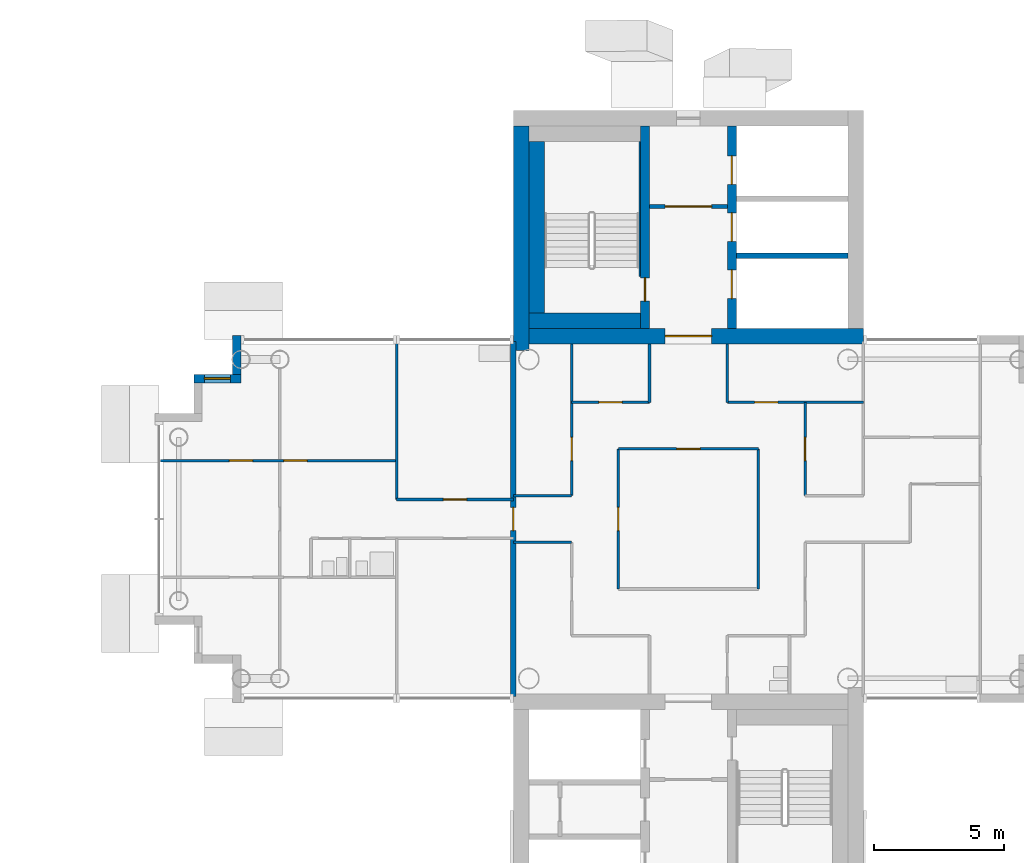
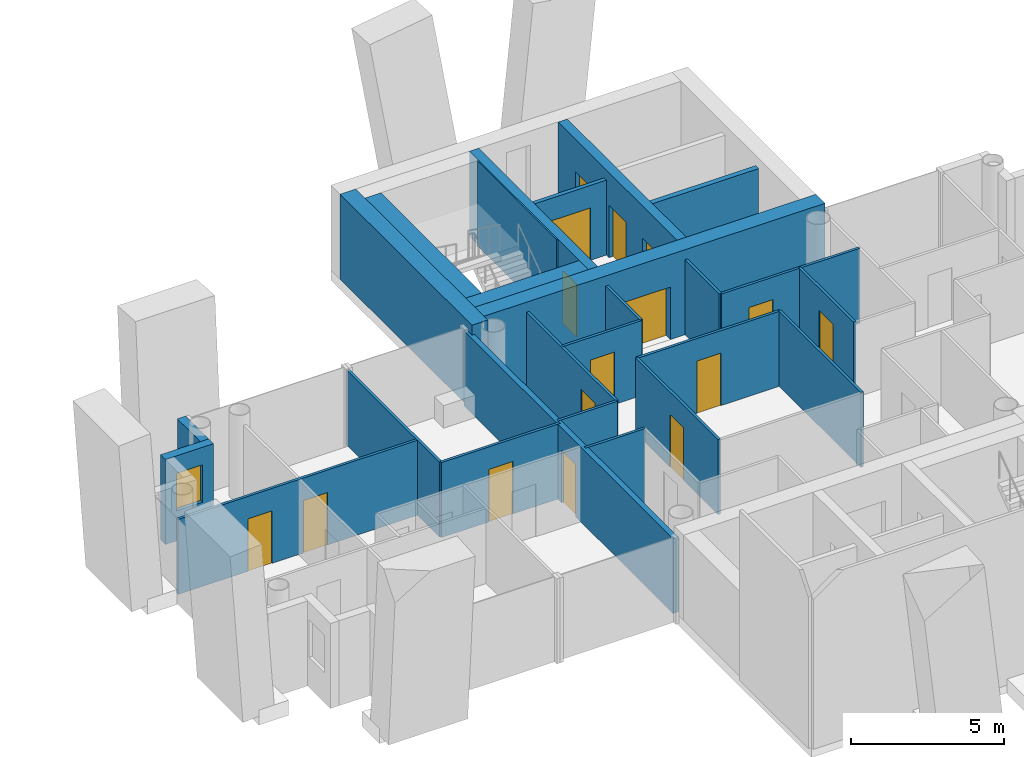
# One storey, part 10 of 18: 26 walls, 16 doors, 1 window, 17 openings.
"""IFC4 building model written with IfcOpenShell, lengths in metres."""

from ifc_helpers import new_model, si_unit, direction, frame, frame_2d, origin, place, context, subcontext, project, spatial, rectangle, extrude, material, layer, layer_set, type_object, element, fill, save


model = new_model("IFC4")

# Units and contexts
model_context = context("Model", 3, precision=1e-05, world=origin(), true_north=direction((0.0, 1.0)))
body_context = subcontext(model_context, "Body", "Model", "MODEL_VIEW")
ifc_project = project(units=[si_unit("LENGTHUNIT", "METRE"), si_unit("AREAUNIT", "SQUARE_METRE"), si_unit("VOLUMEUNIT", "CUBIC_METRE"), si_unit("PLANEANGLEUNIT", "RADIAN"), si_unit("MASSUNIT", "GRAM", prefix="KILO")], contexts=[model_context])

# Site, building, storey
site_placement = place(None, origin())
site = spatial("IfcSite", under=ifc_project, at=site_placement, CompositionType="ELEMENT")
building_placement = place(site_placement, origin())
building = spatial("IfcBuilding", under=site, at=building_placement, Name="Ipe Terrace Towers", CompositionType="ELEMENT")
storey_placement = place(building_placement, frame((0.0, 0.0, 216.39990234375)))
storey = spatial("IfcBuildingStorey", under=building, at=storey_placement, Name="L60", CompositionType="ELEMENT", Elevation=216.39990234375)

# Wall
ifc_material_1 = material(Name="Concrete C40/50 with buff precast cladding", Category="concrete")
ifc_layer_1 = layer(ifc_material_1, 0.320068359375)
ifc_layer_set_1 = layer_set([ifc_layer_1], Name="BUFF CLADDING WALL 320")
wall_type_1 = type_object("IfcWallType", Name="BUFF CLADDING WALL 320", PredefinedType="STANDARD", material=ifc_layer_set_1)
wall_1_placement = place(storey_placement, frame((18.590087890625, 7.070068359375, -0.2998046875), z_axis=(0.0, 0.0, 1.0), x_axis=(0.0, -1.0, 0.0)))
element("IfcWall", 1, at=wall_1_placement, inside=storey, type_object=wall_type_1, Name="T2-W-L60-22a wall", PredefinedType="STANDARD", context=body_context, shape_type="SweptSolid", body=[
    extrude(rectangle(XDim=1.5, YDim=0.320068359375, at=frame_2d((0.75, 0.0))), origin(), (0.0, 0.0, 1.0), 3.39990234375),
])

# Wall, opening, window
wall_2_placement = place(storey_placement, frame((18.75, 5.409912109375, -0.2998046875), z_axis=(0.0, 0.0, 1.0), x_axis=(-1.0, 0.0, 0.0)))
wall_2 = element("IfcWall", 2, at=wall_2_placement, inside=storey, type_object=wall_type_1, Name="T2-W-L60-23a wall", PredefinedType="STANDARD", context=body_context, shape_type="SweptSolid", body=[
    extrude(rectangle(XDim=1.820068359375, YDim=0.320068359375, at=frame_2d((0.91015625, 0.0))), origin(), (0.0, 0.0, 1.0), 3.39990234375),
])
opening_1_placement = place(wall_2_placement, frame((0.409912109375, 0.0, 1.199951171875)))
opening_1 = element("IfcOpeningElement", 3, at=opening_1_placement, cuts=wall_2, Name="Opening T2-W-05-L60-02", PredefinedType="OPENING", context=body_context, shape_type="SweptSolid", body=[
    extrude(rectangle(XDim=1.0, YDim=1.5, at=frame_2d((0.5, 0.75))), frame((0.0, 0.169921875, 0.0), z_axis=(0.0, -1.0, 0.0), x_axis=(1.0, 0.0, 0.0)), (0.0, 0.0, 1.0), 0.340087890625),
])
ifc_material_2 = material(Name="Glass, clear laminated", Category="glass")
window_type = type_object("IfcWindowType", Name="DWELLING WINDOW 1000 x 1500", PartitioningType="SINGLE_PANEL", PredefinedType="WINDOW", material=ifc_material_2)
window_placement = place(opening_1_placement, origin())
window = element("IfcWindow", 4, at=window_placement, inside=storey, type_object=window_type, Name="W-05 window", OverallHeight=1.5, OverallWidth=1.0, PartitioningType="SINGLE_PANEL", PredefinedType="WINDOW", context=body_context, shape_type="SweptSolid", body=[
    extrude(rectangle(XDim=1.0, YDim=1.5, at=frame_2d((0.5, 0.75))), frame((0.0, 0.030029296875, 0.0), z_axis=(0.0, -1.0, 0.0), x_axis=(1.0, 0.0, 0.0)), (0.0, 0.0, 1.0), 0.06005859375),
])
fill(opening_1, window)

# Wall
ifc_material_3 = material(Name="Gypsum board partition", Category="plasterboard")
ifc_layer_2 = layer(ifc_material_3, 0.10009765625)
ifc_layer_set_2 = layer_set([ifc_layer_2], Name="Gypsum board partition 100 mm")
wall_type_2 = type_object("IfcWallType", Name="Gypsum board partition 100 mm", PredefinedType="PARTITIONING", material=ifc_layer_set_2)
wall_3_placement = place(storey_placement, frame((31.5, -0.89990234375, 0.0), z_axis=(0.0, 0.0, 1.0), x_axis=(-1.0, 0.0, 0.0)))
element("IfcWall", 5, at=wall_3_placement, inside=storey, type_object=wall_type_2, Name="Gypsum board partition T2 L60 W06", PredefinedType="PARTITIONING", context=body_context, shape_type="SweptSolid", body=[
    extrude(rectangle(XDim=2.25, YDim=0.10009765625, at=frame_2d((1.125, 0.0))), origin(), (0.0, 0.0, 1.0), 3.0),
])

# Wall, opening, door
wall_4_placement = place(storey_placement, frame((29.25, 0.75, 0.0), z_axis=(0.0, 0.0, 1.0), x_axis=(-1.0, 0.0, 0.0)))
wall_4 = element("IfcWall", 6, at=wall_4_placement, inside=storey, type_object=wall_type_2, Name="Gypsum board partition T2 L60 W08", PredefinedType="PARTITIONING", context=body_context, shape_type="SweptSolid", body=[
    extrude(rectangle(XDim=4.5, YDim=0.10009765625, at=frame_2d((2.25, 0.0))), origin(), (0.0, 0.0, 1.0), 3.0),
])
opening_2_placement = place(wall_4_placement, frame((1.800048828125, 0.0, 0.0)))
opening_2 = element("IfcOpeningElement", 7, at=opening_2_placement, cuts=wall_4, Name="Opening T2-Z4F-11", PredefinedType="OPENING", context=body_context, shape_type="SweptSolid", body=[
    extrude(rectangle(XDim=0.89990234375, YDim=2.10009765625, at=frame_2d((0.449951171875, 1.050048828125))), frame((0.0, 0.06005859375, 0.0), z_axis=(0.0, -1.0, 0.0), x_axis=(1.0, 0.0, 0.0)), (0.0, 0.0, 1.0), 0.1201171875),
])
ifc_material_4 = material(Name="Timber door leaf", Category="wood")
door_type_1 = type_object("IfcDoorType", Name="Lounge door 900 x 2100", OperationType="NOTDEFINED", PredefinedType="DOOR", material=ifc_material_4)
door_1_placement = place(opening_2_placement, origin())
door_1 = element("IfcDoor", 8, at=door_1_placement, inside=storey, type_object=door_type_1, Name="Lounge door T2-Z4F-11", OperationType="SINGLE_SWING_RIGHT", OverallHeight=2.10009765625, OverallWidth=0.89990234375, PredefinedType="DOOR", context=body_context, shape_type="SweptSolid", body=[
    extrude(rectangle(XDim=0.89990234375, YDim=2.10009765625, at=frame_2d((0.449951171875, 1.050048828125))), frame((0.0, 0.02490234375, 0.0), z_axis=(0.0, -1.0, 0.0), x_axis=(1.0, 0.0, 0.0)), (0.0, 0.0, 1.0), 0.050048828125),
])
fill(opening_2, door_1)

# Wall
wall_5_placement = place(storey_placement, frame((31.5, 0.89990234375, 0.0), z_axis=(0.0, 0.0, 1.0), x_axis=(-1.0, 0.0, 0.0)))
element("IfcWall", 9, at=wall_5_placement, inside=storey, type_object=wall_type_2, Name="Gypsum board partition T2 L60 W10", PredefinedType="PARTITIONING", context=body_context, shape_type="SweptSolid", body=[
    extrude(rectangle(XDim=2.25, YDim=0.10009765625, at=frame_2d((1.125, 0.0))), origin(), (0.0, 0.0, 1.0), 3.0),
])

# Wall, openings, doors
wall_6_placement = place(storey_placement, frame((24.75, 2.25, 0.0), z_axis=(0.0, 0.0, 1.0), x_axis=(-1.0, 0.0, 0.0)))
wall_6 = element("IfcWall", 10, at=wall_6_placement, inside=storey, type_object=wall_type_2, Name="Gypsum board partition T2 L60 W12", PredefinedType="PARTITIONING", context=body_context, shape_type="SweptSolid", body=[
    extrude(rectangle(XDim=9.10009765625, YDim=0.10009765625, at=frame_2d((4.550048828125, 0.0))), origin(), (0.0, 0.0, 1.0), 3.0),
])
opening_3_placement = place(wall_6_placement, frame((3.449951171875, 0.0, 0.0)))
opening_3 = element("IfcOpeningElement", 11, at=opening_3_placement, cuts=wall_6, Name="Opening T2-Z4F-16", PredefinedType="OPENING", context=body_context, shape_type="SweptSolid", body=[
    extrude(rectangle(XDim=0.89990234375, YDim=2.10009765625, at=frame_2d((0.449951171875, 1.050048828125))), frame((0.0, 0.06005859375, 0.0), z_axis=(0.0, -1.0, 0.0), x_axis=(1.0, 0.0, 0.0)), (0.0, 0.0, 1.0), 0.1201171875),
])
opening_4_placement = place(wall_6_placement, frame((5.550048828125, 0.0, 0.0)))
opening_4 = element("IfcOpeningElement", 12, at=opening_4_placement, cuts=wall_6, Name="Opening T2-Z4F-19", PredefinedType="OPENING", context=body_context, shape_type="SweptSolid", body=[
    extrude(rectangle(XDim=0.89990234375, YDim=2.10009765625, at=frame_2d((0.449951171875, 1.050048828125))), frame((0.0, 0.06005859375, 0.0), z_axis=(0.0, -1.0, 0.0), x_axis=(1.0, 0.0, 0.0)), (0.0, 0.0, 1.0), 0.1201171875),
])
ifc_material_5 = material(Name="Timber door leaf", Category="wood")
door_type_2 = type_object("IfcDoorType", Name="Bedroom door 900 x 2100", OperationType="NOTDEFINED", PredefinedType="DOOR", material=ifc_material_5)
door_2_placement = place(opening_3_placement, origin())
door_2 = element("IfcDoor", 13, at=door_2_placement, inside=storey, type_object=door_type_2, Name="Bedroom door T2-Z4F-16", OperationType="SINGLE_SWING_LEFT", OverallHeight=2.10009765625, OverallWidth=0.89990234375, PredefinedType="DOOR", context=body_context, shape_type="SweptSolid", body=[
    extrude(rectangle(XDim=0.89990234375, YDim=2.10009765625, at=frame_2d((0.449951171875, 1.050048828125))), frame((0.0, 0.02490234375, 0.0), z_axis=(0.0, -1.0, 0.0), x_axis=(1.0, 0.0, 0.0)), (0.0, 0.0, 1.0), 0.050048828125),
])
fill(opening_3, door_2)
door_3_placement = place(opening_4_placement, origin())
door_3 = element("IfcDoor", 14, at=door_3_placement, inside=storey, type_object=door_type_2, Name="Bedroom door T2-Z4F-19", OperationType="SINGLE_SWING_RIGHT", OverallHeight=2.10009765625, OverallWidth=0.89990234375, PredefinedType="DOOR", context=body_context, shape_type="SweptSolid", body=[
    extrude(rectangle(XDim=0.89990234375, YDim=2.10009765625, at=frame_2d((0.449951171875, 1.050048828125))), frame((0.0, 0.02490234375, 0.0), z_axis=(0.0, -1.0, 0.0), x_axis=(1.0, 0.0, 0.0)), (0.0, 0.0, 1.0), 0.050048828125),
])
fill(opening_4, door_3)

# Wall, opening, door
wall_7_placement = place(storey_placement, frame((38.699951171875, 2.699951171875, 0.0), z_axis=(0.0, 0.0, 1.0), x_axis=(-1.0, 0.0, 0.0)))
wall_7 = element("IfcWall", 15, at=wall_7_placement, inside=storey, type_object=wall_type_2, Name="Gypsum board partition T2 L60 W13", PredefinedType="PARTITIONING", context=body_context, shape_type="SweptSolid", body=[
    extrude(rectangle(XDim=5.39990234375, YDim=0.10009765625, at=frame_2d((2.699951171875, 0.0))), origin(), (0.0, 0.0, 1.0), 3.0),
])
opening_5_placement = place(wall_7_placement, frame((2.25, 0.0, 0.0)))
opening_5 = element("IfcOpeningElement", 16, at=opening_5_placement, cuts=wall_7, Name="Opening T2-Z4F-02", PredefinedType="OPENING", context=body_context, shape_type="SweptSolid", body=[
    extrude(rectangle(XDim=0.89990234375, YDim=2.10009765625, at=frame_2d((0.449951171875, 1.050048828125))), frame((0.0, 0.06005859375, 0.0), z_axis=(0.0, -1.0, 0.0), x_axis=(1.0, 0.0, 0.0)), (0.0, 0.0, 1.0), 0.1201171875),
])
door_4_placement = place(opening_5_placement, origin())
door_4 = element("IfcDoor", 17, at=door_4_placement, inside=storey, type_object=door_type_1, Name="Lounge door T2-Z4F-02", OperationType="SINGLE_SWING_LEFT", OverallHeight=2.10009765625, OverallWidth=0.89990234375, PredefinedType="DOOR", context=body_context, shape_type="SweptSolid", body=[
    extrude(rectangle(XDim=0.89990234375, YDim=2.10009765625, at=frame_2d((0.449951171875, 1.050048828125))), frame((0.0, 0.02490234375, 0.0), z_axis=(0.0, -1.0, 0.0), x_axis=(1.0, 0.0, 0.0)), (0.0, 0.0, 1.0), 0.050048828125),
])
fill(opening_5, door_4)

wall_8_placement = place(storey_placement, frame((42.75, 4.5, 0.0), z_axis=(0.0, 0.0, 1.0), x_axis=(-1.0, 0.0, 0.0)))
wall_8 = element("IfcWall", 18, at=wall_8_placement, inside=storey, type_object=wall_type_2, Name="Gypsum board partition T2 L60 W15", PredefinedType="PARTITIONING", context=body_context, shape_type="SweptSolid", body=[
    extrude(rectangle(XDim=5.25, YDim=0.10009765625, at=frame_2d((2.625, 0.0))), origin(), (0.0, 0.0, 1.0), 3.0),
])
opening_6_placement = place(wall_8_placement, frame((3.300048828125, 0.0, 0.0)))
opening_6 = element("IfcOpeningElement", 19, at=opening_6_placement, cuts=wall_8, Name="Opening T2-Z4F-09", PredefinedType="OPENING", context=body_context, shape_type="SweptSolid", body=[
    extrude(rectangle(XDim=0.89990234375, YDim=2.10009765625, at=frame_2d((0.449951171875, 1.050048828125))), frame((0.0, 0.06005859375, 0.0), z_axis=(0.0, -1.0, 0.0), x_axis=(1.0, 0.0, 0.0)), (0.0, 0.0, 1.0), 0.1201171875),
])
door_5_placement = place(opening_6_placement, origin())
door_5 = element("IfcDoor", 20, at=door_5_placement, inside=storey, type_object=door_type_1, Name="Lounge door T2-Z4F-09", OperationType="SINGLE_SWING_RIGHT", OverallHeight=2.10009765625, OverallWidth=0.89990234375, PredefinedType="DOOR", context=body_context, shape_type="SweptSolid", body=[
    extrude(rectangle(XDim=0.89990234375, YDim=2.10009765625, at=frame_2d((0.449951171875, 1.050048828125))), frame((0.0, 0.02490234375, 0.0), z_axis=(0.0, -1.0, 0.0), x_axis=(1.0, 0.0, 0.0)), (0.0, 0.0, 1.0), 0.050048828125),
])
fill(opening_6, door_5)

wall_9_placement = place(storey_placement, frame((34.5, 4.5, 0.0), z_axis=(0.0, 0.0, 1.0), x_axis=(-1.0, 0.0, 0.0)))
wall_9 = element("IfcWall", 21, at=wall_9_placement, inside=storey, type_object=wall_type_2, Name="Gypsum board partition T2 L60 W16", PredefinedType="PARTITIONING", context=body_context, shape_type="SweptSolid", body=[
    extrude(rectangle(XDim=3.0, YDim=0.10009765625, at=frame_2d((1.5, 0.0))), origin(), (0.0, 0.0, 1.0), 3.0),
])
opening_7_placement = place(wall_9_placement, frame((1.050048828125, 0.0, 0.0)))
opening_7 = element("IfcOpeningElement", 22, at=opening_7_placement, cuts=wall_9, Name="Opening T2-Z4F-05", PredefinedType="OPENING", context=body_context, shape_type="SweptSolid", body=[
    extrude(rectangle(XDim=0.89990234375, YDim=2.10009765625, at=frame_2d((0.449951171875, 1.050048828125))), frame((0.0, 0.06005859375, 0.0), z_axis=(0.0, -1.0, 0.0), x_axis=(1.0, 0.0, 0.0)), (0.0, 0.0, 1.0), 0.1201171875),
])
door_6_placement = place(opening_7_placement, origin())
door_6 = element("IfcDoor", 23, at=door_6_placement, inside=storey, type_object=door_type_1, Name="Lounge door T2-Z4F-05", OperationType="SINGLE_SWING_RIGHT", OverallHeight=2.10009765625, OverallWidth=0.89990234375, PredefinedType="DOOR", context=body_context, shape_type="SweptSolid", body=[
    extrude(rectangle(XDim=0.89990234375, YDim=2.10009765625, at=frame_2d((0.449951171875, 1.050048828125))), frame((0.0, 0.02490234375, 0.0), z_axis=(0.0, -1.0, 0.0), x_axis=(1.0, 0.0, 0.0)), (0.0, 0.0, 1.0), 0.050048828125),
])
fill(opening_7, door_6)

wall_10_placement = place(storey_placement, frame((40.5, 0.89990234375, 0.0), z_axis=(0.0, 0.0, 1.0), x_axis=(0.0, 1.0, 0.0)))
wall_10 = element("IfcWall", 24, at=wall_10_placement, inside=storey, type_object=wall_type_2, Name="Gypsum board partition T2 L60 W22", PredefinedType="PARTITIONING", context=body_context, shape_type="SweptSolid", body=[
    extrude(rectangle(XDim=3.60009765625, YDim=0.10009765625, at=frame_2d((1.800048828125, 0.0))), origin(), (0.0, 0.0, 1.0), 3.0),
])
opening_8_placement = place(wall_10_placement, frame((1.35009765625, 0.0, 0.0)))
opening_8 = element("IfcOpeningElement", 25, at=opening_8_placement, cuts=wall_10, Name="Opening T2-Z4F-08", PredefinedType="OPENING", context=body_context, shape_type="SweptSolid", body=[
    extrude(rectangle(XDim=0.89990234375, YDim=2.10009765625, at=frame_2d((0.449951171875, 1.050048828125))), frame((0.0, 0.06005859375, 0.0), z_axis=(0.0, -1.0, 0.0), x_axis=(1.0, 0.0, 0.0)), (0.0, 0.0, 1.0), 0.1201171875),
])
door_7_placement = place(opening_8_placement, origin())
door_7 = element("IfcDoor", 26, at=door_7_placement, inside=storey, type_object=door_type_1, Name="Lounge door T2-Z4F-08", OperationType="SINGLE_SWING_RIGHT", OverallHeight=2.10009765625, OverallWidth=0.89990234375, PredefinedType="DOOR", context=body_context, shape_type="SweptSolid", body=[
    extrude(rectangle(XDim=0.89990234375, YDim=2.10009765625, at=frame_2d((0.449951171875, 1.050048828125))), frame((0.0, 0.02490234375, 0.0), z_axis=(0.0, -1.0, 0.0), x_axis=(1.0, 0.0, 0.0)), (0.0, 0.0, 1.0), 0.050048828125),
])
fill(opening_8, door_7)

# Walls
wall_11_placement = place(storey_placement, frame((38.699951171875, -2.699951171875, 0.0), z_axis=(0.0, 0.0, 1.0), x_axis=(0.0, 1.0, 0.0)))
element("IfcWall", 27, at=wall_11_placement, inside=storey, type_object=wall_type_2, Name="Gypsum board partition T2 L60 W24", PredefinedType="PARTITIONING", context=body_context, shape_type="SweptSolid", body=[
    extrude(rectangle(XDim=5.39990234375, YDim=0.10009765625, at=frame_2d((2.699951171875, 0.0))), origin(), (0.0, 0.0, 1.0), 3.0),
])
for number, where, z_axis, x_axis, name in (
    (28, (37.5, 4.5, 0.0), (0.0, 0.0, 1.0), (0.0, 1.0, 0.0), "Gypsum board partition T2 L60 W26"),
    (29, (34.5, 4.5, 0.0), (0.0, 0.0, 1.0), (0.0, 1.0, 0.0), "Gypsum board partition T2 L60 W28"),
):
    element("IfcWall", number, at=place(storey_placement, frame(where, z_axis=z_axis, x_axis=x_axis)), inside=storey, type_object=wall_type_2, Name=name, PredefinedType="PARTITIONING", context=body_context, shape_type="SweptSolid", body=[
        extrude(rectangle(XDim=2.25, YDim=0.10009765625, at=frame_2d((1.125, 0.0))), origin(), (0.0, 0.0, 1.0), 3.0),
    ])

# Wall, opening, door
wall_12_placement = place(storey_placement, frame((33.300048828125, -2.699951171875, 0.0), z_axis=(0.0, 0.0, 1.0), x_axis=(0.0, 1.0, 0.0)))
wall_12 = element("IfcWall", 30, at=wall_12_placement, inside=storey, type_object=wall_type_2, Name="Gypsum board partition T2 L60 W29", PredefinedType="PARTITIONING", context=body_context, shape_type="SweptSolid", body=[
    extrude(rectangle(XDim=5.39990234375, YDim=0.10009765625, at=frame_2d((2.699951171875, 0.0))), origin(), (0.0, 0.0, 1.0), 3.0),
])
opening_9_placement = place(wall_12_placement, frame((2.25, 0.0, 0.0)))
opening_9 = element("IfcOpeningElement", 31, at=opening_9_placement, cuts=wall_12, Name="Opening T2-Z4F-01", PredefinedType="OPENING", context=body_context, shape_type="SweptSolid", body=[
    extrude(rectangle(XDim=0.89990234375, YDim=2.10009765625, at=frame_2d((0.449951171875, 1.050048828125))), frame((0.0, 0.06005859375, 0.0), z_axis=(0.0, -1.0, 0.0), x_axis=(1.0, 0.0, 0.0)), (0.0, 0.0, 1.0), 0.1201171875),
])
door_8_placement = place(opening_9_placement, origin())
door_8 = element("IfcDoor", 32, at=door_8_placement, inside=storey, type_object=door_type_1, Name="Lounge door T2-Z4F-01", OperationType="SINGLE_SWING_RIGHT", OverallHeight=2.10009765625, OverallWidth=0.89990234375, PredefinedType="DOOR", context=body_context, shape_type="SweptSolid", body=[
    extrude(rectangle(XDim=0.89990234375, YDim=2.10009765625, at=frame_2d((0.449951171875, 1.050048828125))), frame((0.0, 0.02490234375, 0.0), z_axis=(0.0, -1.0, 0.0), x_axis=(1.0, 0.0, 0.0)), (0.0, 0.0, 1.0), 0.050048828125),
])
fill(opening_9, door_8)

wall_13_placement = place(storey_placement, frame((31.5, 0.89990234375, 0.0), z_axis=(0.0, 0.0, 1.0), x_axis=(0.0, 1.0, 0.0)))
wall_13 = element("IfcWall", 33, at=wall_13_placement, inside=storey, type_object=wall_type_2, Name="Gypsum board partition T2 L60 W31", PredefinedType="PARTITIONING", context=body_context, shape_type="SweptSolid", body=[
    extrude(rectangle(XDim=5.85009765625, YDim=0.10009765625, at=frame_2d((2.925048828125, 0.0))), origin(), (0.0, 0.0, 1.0), 3.0),
])
opening_10_placement = place(wall_13_placement, frame((1.35009765625, 0.0, 0.0)))
opening_10 = element("IfcOpeningElement", 34, at=opening_10_placement, cuts=wall_13, Name="Opening T2-Z4F-04", PredefinedType="OPENING", context=body_context, shape_type="SweptSolid", body=[
    extrude(rectangle(XDim=0.89990234375, YDim=2.10009765625, at=frame_2d((0.449951171875, 1.050048828125))), frame((0.0, 0.06005859375, 0.0), z_axis=(0.0, -1.0, 0.0), x_axis=(1.0, 0.0, 0.0)), (0.0, 0.0, 1.0), 0.1201171875),
])
door_9_placement = place(opening_10_placement, origin())
door_9 = element("IfcDoor", 35, at=door_9_placement, inside=storey, type_object=door_type_1, Name="Lounge door T2-Z4F-04", OperationType="SINGLE_SWING_RIGHT", OverallHeight=2.10009765625, OverallWidth=0.89990234375, PredefinedType="DOOR", context=body_context, shape_type="SweptSolid", body=[
    extrude(rectangle(XDim=0.89990234375, YDim=2.10009765625, at=frame_2d((0.449951171875, 1.050048828125))), frame((0.0, 0.02490234375, 0.0), z_axis=(0.0, -1.0, 0.0), x_axis=(1.0, 0.0, 0.0)), (0.0, 0.0, 1.0), 0.050048828125),
])
fill(opening_10, door_9)

# Wall
wall_14_placement = place(storey_placement, frame((24.75, 0.75, 0.0), z_axis=(0.0, 0.0, 1.0), x_axis=(0.0, 1.0, 0.0)))
element("IfcWall", 36, at=wall_14_placement, inside=storey, type_object=wall_type_2, Name="Gypsum board partition T2 L60 W34", PredefinedType="PARTITIONING", context=body_context, shape_type="SweptSolid", body=[
    extrude(rectangle(XDim=6.10009765625, YDim=0.10009765625, at=frame_2d((3.050048828125, 0.0))), origin(), (0.0, 0.0, 1.0), 3.0),
])

# Wall, opening, door
ifc_material_6 = material(Name="Gypsum board partition", Category="plasterboard")
ifc_layer_3 = layer(ifc_material_6, 0.14990234375)
ifc_layer_set_3 = layer_set([ifc_layer_3], Name="Gypsum board partition 150 mm")
wall_type_3 = type_object("IfcWallType", Name="Gypsum board partition 150 mm", PredefinedType="PARTITIONING", material=ifc_layer_set_3)
wall_15_placement = place(storey_placement, frame((37.5, 12.050048828125, 0.0), z_axis=(0.0, 0.0, 1.0), x_axis=(-1.0, 0.0, 0.0)))
wall_15 = element("IfcWall", 37, at=wall_15_placement, inside=storey, type_object=wall_type_3, Name="Gypsum board partition T2 L60 t2c1-lobby-wall", PredefinedType="PARTITIONING", context=body_context, shape_type="SweptSolid", body=[
    extrude(rectangle(XDim=3.0, YDim=0.14990234375, at=frame_2d((1.5, 0.0))), origin(), (0.0, 0.0, 1.0), 3.0),
])
opening_11_placement = place(wall_15_placement, frame((0.60009765625, 0.0, 0.0)))
opening_11 = element("IfcOpeningElement", 38, at=opening_11_placement, cuts=wall_15, Name="Opening T2C1-VD", PredefinedType="OPENING", context=body_context, shape_type="SweptSolid", body=[
    extrude(rectangle(XDim=1.800048828125, YDim=2.10009765625, at=frame_2d((0.89990234375, 1.050048828125))), frame((0.0, 0.0849609375, 0.0), z_axis=(0.0, -1.0, 0.0), x_axis=(1.0, 0.0, 0.0)), (0.0, 0.0, 1.0), 0.169921875),
])
ifc_material_7 = material(Name="Fire-rated timber door leaf", Category="wood")
door_type_3 = type_object("IfcDoorType", Name="Lobby door 1800 x 2100 FD60", OperationType="NOTDEFINED", PredefinedType="DOOR", material=ifc_material_7)
door_10_placement = place(opening_11_placement, origin())
door_10 = element("IfcDoor", 39, at=door_10_placement, inside=storey, type_object=door_type_3, Name="Lobby door T2C1-VD", OperationType="SINGLE_SWING_LEFT", OverallHeight=2.10009765625, OverallWidth=1.800048828125, PredefinedType="DOOR", context=body_context, shape_type="SweptSolid", body=[
    extrude(rectangle(XDim=1.800048828125, YDim=2.10009765625, at=frame_2d((0.89990234375, 1.050048828125))), frame((0.0, 0.02490234375, 0.0), z_axis=(0.0, -1.0, 0.0), x_axis=(1.0, 0.0, 0.0)), (0.0, 0.0, 1.0), 0.050048828125),
])
fill(opening_11, door_10)

# Wall
ifc_material_8 = material(Name="Gypsum board party wall", Category="plasterboard")
ifc_layer_4 = layer(ifc_material_8, 0.199951171875)
ifc_layer_set_4 = layer_set([ifc_layer_4], Name="Gypsum board party wall 200 mm")
wall_type_4 = type_object("IfcWallType", Name="Gypsum board party wall 200 mm", PredefinedType="SOLIDWALL", material=ifc_layer_set_4)
wall_16_placement = place(storey_placement, frame((42.14990234375, 10.14990234375, 0.0), z_axis=(0.0, 0.0, 1.0), x_axis=(-1.0, 0.0, 0.0)))
element("IfcWall", 40, at=wall_16_placement, inside=storey, type_object=wall_type_4, Name="Gypsum board party wall T2 L60 t2c1-shaft-div1", PredefinedType="SOLIDWALL", context=body_context, shape_type="SweptSolid", body=[
    extrude(rectangle(XDim=4.2998046875, YDim=0.199951171875, at=frame_2d((2.14990234375, 0.0))), origin(), (0.0, 0.0, 1.0), 3.0),
])

# Wall, opening, door
wall_17_placement = place(storey_placement, frame((29.25, -6.85009765625, 0.0), z_axis=(0.0, 0.0, 1.0), x_axis=(0.0, 1.0, 0.0)))
wall_17 = element("IfcWall", 41, at=wall_17_placement, inside=storey, type_object=wall_type_4, Name="Gypsum board party wall T2 L60 W32", PredefinedType="SOLIDWALL", context=body_context, shape_type="SweptSolid", body=[
    extrude(rectangle(XDim=13.7001953125, YDim=0.199951171875, at=frame_2d((6.85009765625, 0.0))), origin(), (0.0, 0.0, 1.0), 3.0),
])
opening_12_placement = place(wall_17_placement, frame((6.39990234375, 0.0, 0.0)))
opening_12 = element("IfcOpeningElement", 42, at=opening_12_placement, cuts=wall_17, Name="Opening T2-Z4F-12", PredefinedType="OPENING", context=body_context, shape_type="SweptSolid", body=[
    extrude(rectangle(XDim=0.89990234375, YDim=2.10009765625, at=frame_2d((0.449951171875, 1.050048828125))), frame((0.0, 0.10986328125, 0.0), z_axis=(0.0, -1.0, 0.0), x_axis=(1.0, 0.0, 0.0)), (0.0, 0.0, 1.0), 0.219970703125),
])
ifc_material_9 = material(Name="Fire-rated timber door leaf", Category="wood")
door_type_4 = type_object("IfcDoorType", Name="Flat entrance door 900 x 2100 FD30S", OperationType="NOTDEFINED", PredefinedType="DOOR", material=ifc_material_9)
door_11_placement = place(opening_12_placement, origin())
door_11 = element("IfcDoor", 43, at=door_11_placement, inside=storey, type_object=door_type_4, Name="Flat entrance door T2-Z4F-12", OperationType="SINGLE_SWING_LEFT", OverallHeight=2.10009765625, OverallWidth=0.89990234375, PredefinedType="DOOR", context=body_context, shape_type="SweptSolid", body=[
    extrude(rectangle(XDim=0.89990234375, YDim=2.10009765625, at=frame_2d((0.449951171875, 1.050048828125))), frame((0.0, 0.02490234375, 0.0), z_axis=(0.0, -1.0, 0.0), x_axis=(1.0, 0.0, 0.0)), (0.0, 0.0, 1.0), 0.050048828125),
])
fill(opening_12, door_11)

ifc_material_10 = material(Name="Concrete C40/50", Category="concrete")
ifc_layer_5 = layer(ifc_material_10, 0.35009765625)
ifc_layer_set_5 = layer_set([ifc_layer_5], Name="RW350 CORE SPINE WALL 350 C40-50")
wall_type_5 = type_object("IfcWallType", Name="RW350 CORE SPINE WALL 350 C40-50", PredefinedType="SHEAR", material=ifc_layer_set_5)
wall_18_placement = place(storey_placement, frame((34.324951171875, 7.35009765625, 0.0), z_axis=(0.0, 0.0, 1.0), x_axis=(0.0, 1.0, 0.0)))
wall_18 = element("IfcWall", 44, at=wall_18_placement, inside=storey, type_object=wall_type_5, Name="Core spine wall T2-C1-Z4-SW1", PredefinedType="SHEAR", context=body_context, shape_type="SweptSolid", body=[
    extrude(rectangle(XDim=7.7998046875, YDim=0.35009765625, at=frame_2d((3.89990234375, 0.0))), origin(), (0.0, 0.0, 1.0), 3.400146484375),
])
opening_13_placement = place(wall_18_placement, frame((1.050048828125, 0.0, 0.0)))
opening_13 = element("IfcOpeningElement", 45, at=opening_13_placement, cuts=wall_18, Name="Opening T2C1-SD", PredefinedType="OPENING", context=body_context, shape_type="SweptSolid", body=[
    extrude(rectangle(XDim=0.89990234375, YDim=2.10009765625, at=frame_2d((0.449951171875, 1.050048828125))), frame((0.0, 0.18505859375, 0.0), z_axis=(0.0, -1.0, 0.0), x_axis=(1.0, 0.0, 0.0)), (0.0, 0.0, 1.0), 0.3701171875),
])
ifc_material_11 = material(Name="Fire-rated timber door leaf", Category="wood")
door_type_5 = type_object("IfcDoorType", Name="Stair door 900 x 2100 FD60", OperationType="NOTDEFINED", PredefinedType="DOOR", material=ifc_material_11)
door_12_placement = place(opening_13_placement, origin())
door_12 = element("IfcDoor", 46, at=door_12_placement, inside=storey, type_object=door_type_5, Name="Stair door T2C1-SD", OperationType="SINGLE_SWING_LEFT", OverallHeight=2.10009765625, OverallWidth=0.89990234375, PredefinedType="DOOR", context=body_context, shape_type="SweptSolid", body=[
    extrude(rectangle(XDim=0.89990234375, YDim=2.10009765625, at=frame_2d((0.449951171875, 1.050048828125))), frame((0.0, 0.02490234375, 0.0), z_axis=(0.0, -1.0, 0.0), x_axis=(1.0, 0.0, 0.0)), (0.0, 0.0, 1.0), 0.050048828125),
])
fill(opening_13, door_12)

# Wall, openings, doors
wall_19_placement = place(storey_placement, frame((37.675048828125, 7.35009765625, 0.0), z_axis=(0.0, 0.0, 1.0), x_axis=(0.0, 1.0, 0.0)))
wall_19 = element("IfcWall", 47, at=wall_19_placement, inside=storey, type_object=wall_type_5, Name="Core spine wall T2-C1-Z4-SW2", PredefinedType="SHEAR", context=body_context, shape_type="SweptSolid", body=[
    extrude(rectangle(XDim=7.7998046875, YDim=0.35009765625, at=frame_2d((3.89990234375, 0.0))), origin(), (0.0, 0.0, 1.0), 3.400146484375),
])
opening_14_placement = place(wall_19_placement, frame((1.14990234375, 0.0, 0.0)))
opening_14 = element("IfcOpeningElement", 48, at=opening_14_placement, cuts=wall_19, Name="Opening T2C1-LD1", PredefinedType="OPENING", context=body_context, shape_type="SweptSolid", body=[
    extrude(rectangle(XDim=1.10009765625, YDim=2.10009765625, at=frame_2d((0.550048828125, 1.050048828125))), frame((0.0, 0.18505859375, 0.0), z_axis=(0.0, -1.0, 0.0), x_axis=(1.0, 0.0, 0.0)), (0.0, 0.0, 1.0), 0.3701171875),
])
opening_15_placement = place(wall_19_placement, frame((3.35009765625, 0.0, 0.0)))
opening_15 = element("IfcOpeningElement", 49, at=opening_15_placement, cuts=wall_19, Name="Opening T2C1-LD2", PredefinedType="OPENING", context=body_context, shape_type="SweptSolid", body=[
    extrude(rectangle(XDim=1.10009765625, YDim=2.10009765625, at=frame_2d((0.550048828125, 1.050048828125))), frame((0.0, 0.18505859375, 0.0), z_axis=(0.0, -1.0, 0.0), x_axis=(1.0, 0.0, 0.0)), (0.0, 0.0, 1.0), 0.3701171875),
])
opening_16_placement = place(wall_19_placement, frame((5.550048828125, 0.0, 0.0)))
opening_16 = element("IfcOpeningElement", 50, at=opening_16_placement, cuts=wall_19, Name="Opening T2C1-LD3", PredefinedType="OPENING", context=body_context, shape_type="SweptSolid", body=[
    extrude(rectangle(XDim=1.10009765625, YDim=2.10009765625, at=frame_2d((0.550048828125, 1.050048828125))), frame((0.0, 0.18505859375, 0.0), z_axis=(0.0, -1.0, 0.0), x_axis=(1.0, 0.0, 0.0)), (0.0, 0.0, 1.0), 0.3701171875),
])
ifc_material_12 = material(Name="Fire-rated timber door leaf", Category="wood")
door_type_6 = type_object("IfcDoorType", Name="Sliding door 1100 x 2100 FD60", OperationType="SLIDING_TO_LEFT", PredefinedType="DOOR", material=ifc_material_12)
door_13_placement = place(opening_14_placement, origin())
door_13 = element("IfcDoor", 51, at=door_13_placement, inside=storey, type_object=door_type_6, Name="Sliding door T2C1-LD1", OperationType="SLIDING_TO_LEFT", OverallHeight=2.10009765625, OverallWidth=1.10009765625, PredefinedType="DOOR", context=body_context, shape_type="SweptSolid", body=[
    extrude(rectangle(XDim=1.10009765625, YDim=2.10009765625, at=frame_2d((0.550048828125, 1.050048828125))), frame((0.0, 0.02490234375, 0.0), z_axis=(0.0, -1.0, 0.0), x_axis=(1.0, 0.0, 0.0)), (0.0, 0.0, 1.0), 0.050048828125),
])
fill(opening_14, door_13)
door_14_placement = place(opening_15_placement, origin())
door_14 = element("IfcDoor", 52, at=door_14_placement, inside=storey, type_object=door_type_6, Name="Sliding door T2C1-LD2", OperationType="SLIDING_TO_LEFT", OverallHeight=2.10009765625, OverallWidth=1.10009765625, PredefinedType="DOOR", context=body_context, shape_type="SweptSolid", body=[
    extrude(rectangle(XDim=1.10009765625, YDim=2.10009765625, at=frame_2d((0.550048828125, 1.050048828125))), frame((0.0, 0.02490234375, 0.0), z_axis=(0.0, -1.0, 0.0), x_axis=(1.0, 0.0, 0.0)), (0.0, 0.0, 1.0), 0.050048828125),
])
fill(opening_15, door_14)
door_15_placement = place(opening_16_placement, origin())
door_15 = element("IfcDoor", 53, at=door_15_placement, inside=storey, type_object=door_type_6, Name="Sliding door T2C1-LD3", OperationType="SLIDING_TO_LEFT", OverallHeight=2.10009765625, OverallWidth=1.10009765625, PredefinedType="DOOR", context=body_context, shape_type="SweptSolid", body=[
    extrude(rectangle(XDim=1.10009765625, YDim=2.10009765625, at=frame_2d((0.550048828125, 1.050048828125))), frame((0.0, 0.02490234375, 0.0), z_axis=(0.0, -1.0, 0.0), x_axis=(1.0, 0.0, 0.0)), (0.0, 0.0, 1.0), 0.050048828125),
])
fill(opening_16, door_15)

# Walls
ifc_material_13 = material(Name="Concrete C40/50", Category="concrete")
ifc_layer_6 = layer(ifc_material_13, 0.050048828125)
ifc_layer_set_6 = layer_set([ifc_layer_6], Name="RW50 CORE INFILL WALL 50 C40-50")
wall_type_6 = type_object("IfcWallType", Name="RW50 CORE INFILL WALL 50 C40-50", PredefinedType="SHEAR", material=ifc_layer_set_6)
wall_20_placement = place(storey_placement, frame((34.125, 9.35009765625, 0.0), z_axis=(0.0, 0.0, 1.0), x_axis=(0.0, 1.0, 0.0)))
element("IfcWall", 54, at=wall_20_placement, inside=storey, type_object=wall_type_6, Name="Core infill wall T2-C1-spine-b", PredefinedType="SHEAR", context=body_context, shape_type="SweptSolid", body=[
    extrude(rectangle(XDim=5.199951171875, YDim=0.050048828125, at=frame_2d((2.60009765625, 0.0))), origin(), (0.0, 0.0, 1.0), 3.400146484375),
])
ifc_material_14 = material(Name="Concrete C40/50", Category="concrete")
ifc_layer_7 = layer(ifc_material_14, 0.60009765625)
ifc_layer_set_7 = layer_set([ifc_layer_7], Name="RW600 CORE INFILL WALL 600 C40-50")
wall_type_7 = type_object("IfcWallType", Name="RW600 CORE INFILL WALL 600 C40-50", PredefinedType="SHEAR", material=ifc_layer_set_7)
wall_21_placement = place(storey_placement, frame((30.14990234375, 7.949951171875, 0.0), z_axis=(0.0, 0.0, 1.0), x_axis=(0.0, 1.0, 0.0)))
element("IfcWall", 55, at=wall_21_placement, inside=storey, type_object=wall_type_7, Name="Core infill wall T2-C1-back", PredefinedType="SHEAR", context=body_context, shape_type="SweptSolid", body=[
    extrude(rectangle(XDim=6.60009765625, YDim=0.60009765625, at=frame_2d((3.300048828125, 0.0))), origin(), (0.0, 0.0, 1.0), 3.400146484375),
])
wall_22_placement = place(storey_placement, frame((34.14990234375, 7.64990234375, 0.0), z_axis=(0.0, 0.0, 1.0), x_axis=(-1.0, 0.0, 0.0)))
element("IfcWall", 56, at=wall_22_placement, inside=storey, type_object=wall_type_7, Name="Core infill wall T2-C1-near", PredefinedType="SHEAR", context=body_context, shape_type="SweptSolid", body=[
    extrude(rectangle(XDim=4.2998046875, YDim=0.60009765625, at=frame_2d((2.14990234375, 0.0))), origin(), (0.0, 0.0, 1.0), 3.400146484375),
])

# Wall, opening, door
ifc_material_15 = material(Name="Concrete C40/50", Category="concrete")
ifc_layer_8 = layer(ifc_material_15, 0.60009765625)
ifc_layer_set_8 = layer_set([ifc_layer_8], Name="RW600 CORE WALL 600 C40-50")
wall_type_8 = type_object("IfcWallType", Name="RW600 CORE WALL 600 C40-50", PredefinedType="SHEAR", material=ifc_layer_set_8)
wall_23_placement = place(storey_placement, frame((29.85009765625, 7.050048828125, 0.0), z_axis=(0.0, 0.0, 1.0), x_axis=(1.0, 0.0, 0.0)))
wall_23 = element("IfcWall", 57, at=wall_23_placement, inside=storey, type_object=wall_type_8, Name="Core wall T2-C1-Z4-W01", PredefinedType="SHEAR", context=body_context, shape_type="SweptSolid", body=[
    extrude(rectangle(XDim=12.89990234375, YDim=0.60009765625, at=frame_2d((6.449951171875, 0.0))), origin(), (0.0, 0.0, 1.0), 3.400146484375),
])
opening_17_placement = place(wall_23_placement, frame((5.25, 0.0, 0.0)))
opening_17 = element("IfcOpeningElement", 58, at=opening_17_placement, cuts=wall_23, Name="Opening T2C1-ND", PredefinedType="OPENING", context=body_context, shape_type="SweptSolid", body=[
    extrude(rectangle(XDim=1.800048828125, YDim=2.10009765625, at=frame_2d((0.89990234375, 1.050048828125))), frame((0.0, 0.31005859375, 0.0), z_axis=(0.0, -1.0, 0.0), x_axis=(1.0, 0.0, 0.0)), (0.0, 0.0, 1.0), 0.6201171875),
])
ifc_material_16 = material(Name="Fire-rated timber door leaf", Category="wood")
door_type_7 = type_object("IfcDoorType", Name="Fire door 1800 x 2100 FD30S", OperationType="NOTDEFINED", PredefinedType="DOOR", material=ifc_material_16)
door_16_placement = place(opening_17_placement, origin())
door_16 = element("IfcDoor", 59, at=door_16_placement, inside=storey, type_object=door_type_7, Name="Fire door T2C1-ND", OperationType="SINGLE_SWING_LEFT", OverallHeight=2.10009765625, OverallWidth=1.800048828125, PredefinedType="DOOR", context=body_context, shape_type="SweptSolid", body=[
    extrude(rectangle(XDim=1.800048828125, YDim=2.10009765625, at=frame_2d((0.89990234375, 1.050048828125))), frame((0.0, 0.02490234375, 0.0), z_axis=(0.0, -1.0, 0.0), x_axis=(1.0, 0.0, 0.0)), (0.0, 0.0, 1.0), 0.050048828125),
])
fill(opening_17, door_16)

# Wall
wall_24_placement = place(storey_placement, frame((29.550048828125, 15.14990234375, 0.0), z_axis=(0.0, 0.0, 1.0), x_axis=(0.0, -1.0, 0.0)))
element("IfcWall", 60, at=wall_24_placement, inside=storey, type_object=wall_type_8, Name="Core wall T2-C1-Z4-W04", PredefinedType="SHEAR", context=body_context, shape_type="SweptSolid", body=[
    extrude(rectangle(XDim=8.64794921875, YDim=0.60009765625, at=frame_2d((4.323974609375, 0.0))), origin(), (0.0, 0.0, 1.0), 3.400146484375),
])

save(model, "model.ifc")
